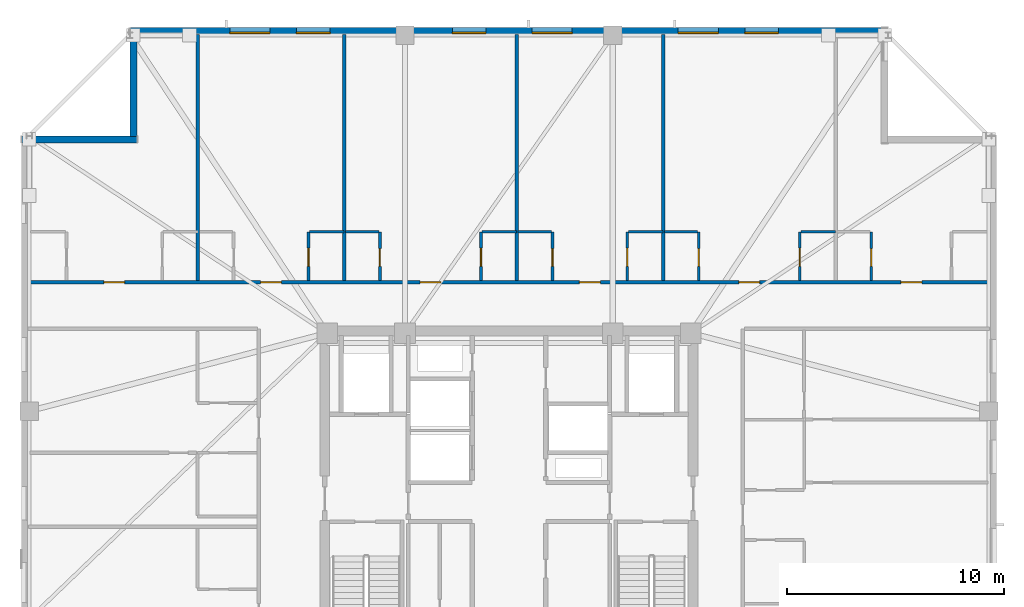
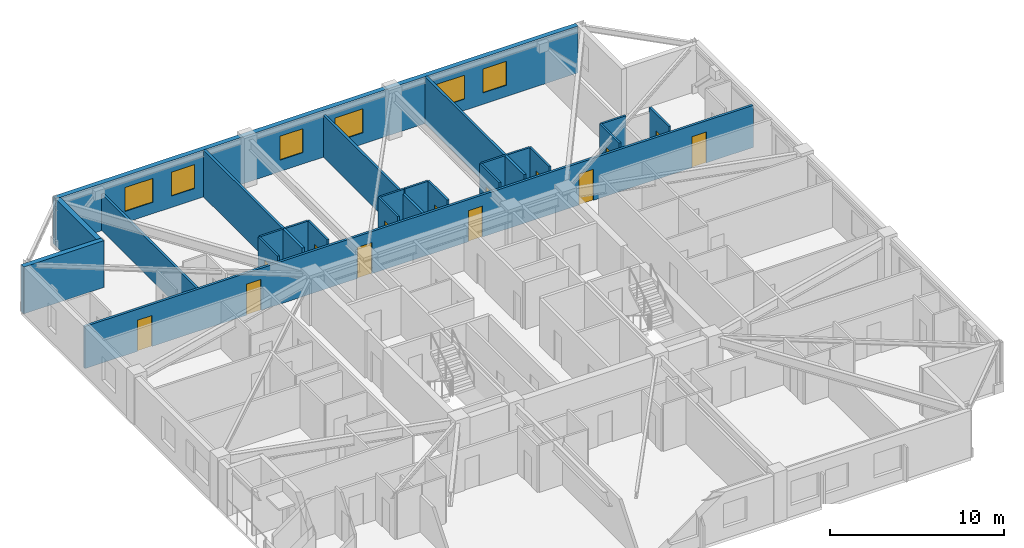
# One storey, part 11 of 17: 23 walls, 14 doors, 6 windows, 20 openings.
"""IFC4 building model written with IfcOpenShell, lengths in metres."""

from ifc_helpers import new_model, si_unit, direction, frame, frame_2d, origin, place, context, subcontext, project, spatial, rectangle, extrude, material, layer, layer_set, type_object, element, fill, save


model = new_model("IFC4")

# Units and contexts
model_context = context("Model", 3, precision=1e-05, world=origin(), true_north=direction((0.0, 1.0)))
body_context = subcontext(model_context, "Body", "Model", "MODEL_VIEW")
ifc_project = project(units=[si_unit("LENGTHUNIT", "METRE"), si_unit("AREAUNIT", "SQUARE_METRE"), si_unit("VOLUMEUNIT", "CUBIC_METRE"), si_unit("PLANEANGLEUNIT", "RADIAN"), si_unit("MASSUNIT", "GRAM", prefix="KILO")], contexts=[model_context])

# Site, building, storey
site_placement = place(None, origin())
site = spatial("IfcSite", under=ifc_project, at=site_placement, CompositionType="ELEMENT")
building_placement = place(site_placement, origin())
building = spatial("IfcBuilding", under=site, at=building_placement, Name="Cairnveth Concourse Tower", CompositionType="ELEMENT")
storey_placement = place(building_placement, frame((0.0, 0.0, 251.5)))
storey = spatial("IfcBuildingStorey", under=building, at=storey_placement, Name="L69", CompositionType="ELEMENT", Elevation=251.5)

# Wall, openings, doors
ifc_material_1 = material(Name="Gypsum Plasterboard Partition", Category="gypsum")
ifc_layer_1 = layer(ifc_material_1, 0.159912109375)
ifc_layer_set_1 = layer_set([ifc_layer_1], Name="Gypsum Plasterboard Partition")
wall_type_1 = type_object("IfcWallType", Name="ACOUSTIC PARTY WALL 180", PredefinedType="PARTITIONING", material=ifc_layer_set_1)
wall_1_placement = place(storey_placement, frame((29.804931640625, 49.74755859375, 0.0), z_axis=(0.0, 0.0, 1.0), x_axis=(1.0, 0.0, 0.0)))
wall_1 = element("IfcWall", 1, at=wall_1_placement, inside=storey, type_object=wall_type_1, Name="Interior Wall IW-L69-036", PredefinedType="PARTITIONING", context=body_context, shape_type="SweptSolid", body=[
    extrude(rectangle(XDim=44.39013671875, YDim=0.159912109375, at=frame_2d((22.195068359375, 0.0))), origin(), (0.0, 0.0, 1.0), 2.9580078125),
])
opening_1_placement = place(wall_1_placement, frame((3.49365234375, 0.0, 0.0)))
opening_1 = element("IfcOpeningElement", 2, at=opening_1_placement, cuts=wall_1, Name="Opening ID10", PredefinedType="OPENING", context=body_context, shape_type="SweptSolid", body=[
    extrude(rectangle(XDim=0.9599609375, YDim=2.179931640625, at=frame_2d((0.47998046875, 1.08984375))), frame((0.0, 0.08984375, 0.0), z_axis=(0.0, -1.0, 0.0), x_axis=(1.0, 0.0, 0.0)), (0.0, 0.0, 1.0), 0.179931640625),
])
opening_2_placement = place(wall_1_placement, frame((10.72998046875, 0.0, 0.0)))
opening_2 = element("IfcOpeningElement", 3, at=opening_2_placement, cuts=wall_1, Name="Opening ID10", PredefinedType="OPENING", context=body_context, shape_type="SweptSolid", body=[
    extrude(rectangle(XDim=0.9599609375, YDim=2.179931640625, at=frame_2d((0.47998046875, 1.08984375))), frame((0.0, 0.08984375, 0.0), z_axis=(0.0, -1.0, 0.0), x_axis=(1.0, 0.0, 0.0)), (0.0, 0.0, 1.0), 0.179931640625),
])
opening_3_placement = place(wall_1_placement, frame((18.090087890625, 0.0, 0.0)))
opening_3 = element("IfcOpeningElement", 4, at=opening_3_placement, cuts=wall_1, Name="Opening ID10", PredefinedType="OPENING", context=body_context, shape_type="SweptSolid", body=[
    extrude(rectangle(XDim=0.9599609375, YDim=2.179931640625, at=frame_2d((0.47998046875, 1.08984375))), frame((0.0, 0.08984375, 0.0), z_axis=(0.0, -1.0, 0.0), x_axis=(1.0, 0.0, 0.0)), (0.0, 0.0, 1.0), 0.179931640625),
])
opening_4_placement = place(wall_1_placement, frame((25.449951171875, 0.0, 0.0)))
opening_4 = element("IfcOpeningElement", 5, at=opening_4_placement, cuts=wall_1, Name="Opening ID10", PredefinedType="OPENING", context=body_context, shape_type="SweptSolid", body=[
    extrude(rectangle(XDim=0.9599609375, YDim=2.179931640625, at=frame_2d((0.47998046875, 1.08984375))), frame((0.0, 0.08984375, 0.0), z_axis=(0.0, -1.0, 0.0), x_axis=(1.0, 0.0, 0.0)), (0.0, 0.0, 1.0), 0.179931640625),
])
opening_5_placement = place(wall_1_placement, frame((32.81005859375, 0.0, 0.0)))
opening_5 = element("IfcOpeningElement", 6, at=opening_5_placement, cuts=wall_1, Name="Opening ID10", PredefinedType="OPENING", context=body_context, shape_type="SweptSolid", body=[
    extrude(rectangle(XDim=0.9599609375, YDim=2.179931640625, at=frame_2d((0.47998046875, 1.08984375))), frame((0.0, 0.08984375, 0.0), z_axis=(0.0, -1.0, 0.0), x_axis=(1.0, 0.0, 0.0)), (0.0, 0.0, 1.0), 0.179931640625),
])
opening_6_placement = place(wall_1_placement, frame((40.293701171875, 0.0, 0.0)))
opening_6 = element("IfcOpeningElement", 7, at=opening_6_placement, cuts=wall_1, Name="Opening ID10", PredefinedType="OPENING", context=body_context, shape_type="SweptSolid", body=[
    extrude(rectangle(XDim=0.9599609375, YDim=2.179931640625, at=frame_2d((0.47998046875, 1.08984375))), frame((0.0, 0.08984375, 0.0), z_axis=(0.0, -1.0, 0.0), x_axis=(1.0, 0.0, 0.0)), (0.0, 0.0, 1.0), 0.179931640625),
])
ifc_material_2 = material(Name="Solid Core Hardwood Timber Leaf", Category="wood")
door_type_1 = type_object("IfcDoorType", Name="FLAT ENTRANCE DOOR 960X2150", OperationType="NOTDEFINED", PredefinedType="DOOR", material=ifc_material_2)
door_1_placement = place(opening_1_placement, origin())
door_1 = element("IfcDoor", 8, at=door_1_placement, inside=storey, type_object=door_type_1, Name="Studio L69STN1 Entrance Door", OperationType="SINGLE_SWING_LEFT", OverallHeight=2.179931640625, OverallWidth=0.9599609375, PredefinedType="DOOR", context=body_context, shape_type="SweptSolid", body=[
    extrude(rectangle(XDim=0.9599609375, YDim=2.179931640625, at=frame_2d((0.47998046875, 1.08984375))), frame((0.0, 0.02490234375, 0.0), z_axis=(0.0, -1.0, 0.0), x_axis=(1.0, 0.0, 0.0)), (0.0, 0.0, 1.0), 0.050048828125),
])
fill(opening_1, door_1)
door_2_placement = place(opening_2_placement, origin())
door_2 = element("IfcDoor", 9, at=door_2_placement, inside=storey, type_object=door_type_1, Name="Studio L69STN2 Entrance Door", OperationType="SINGLE_SWING_RIGHT", OverallHeight=2.179931640625, OverallWidth=0.9599609375, PredefinedType="DOOR", context=body_context, shape_type="SweptSolid", body=[
    extrude(rectangle(XDim=0.9599609375, YDim=2.179931640625, at=frame_2d((0.47998046875, 1.08984375))), frame((0.0, 0.02490234375, 0.0), z_axis=(0.0, -1.0, 0.0), x_axis=(1.0, 0.0, 0.0)), (0.0, 0.0, 1.0), 0.050048828125),
])
fill(opening_2, door_2)
door_3_placement = place(opening_3_placement, origin())
door_3 = element("IfcDoor", 10, at=door_3_placement, inside=storey, type_object=door_type_1, Name="Studio L69STN3 Entrance Door", OperationType="SINGLE_SWING_LEFT", OverallHeight=2.179931640625, OverallWidth=0.9599609375, PredefinedType="DOOR", context=body_context, shape_type="SweptSolid", body=[
    extrude(rectangle(XDim=0.9599609375, YDim=2.179931640625, at=frame_2d((0.47998046875, 1.08984375))), frame((0.0, 0.02490234375, 0.0), z_axis=(0.0, -1.0, 0.0), x_axis=(1.0, 0.0, 0.0)), (0.0, 0.0, 1.0), 0.050048828125),
])
fill(opening_3, door_3)
door_4_placement = place(opening_4_placement, origin())
door_4 = element("IfcDoor", 11, at=door_4_placement, inside=storey, type_object=door_type_1, Name="Studio L69STN4 Entrance Door", OperationType="SINGLE_SWING_RIGHT", OverallHeight=2.179931640625, OverallWidth=0.9599609375, PredefinedType="DOOR", context=body_context, shape_type="SweptSolid", body=[
    extrude(rectangle(XDim=0.9599609375, YDim=2.179931640625, at=frame_2d((0.47998046875, 1.08984375))), frame((0.0, 0.02490234375, 0.0), z_axis=(0.0, -1.0, 0.0), x_axis=(1.0, 0.0, 0.0)), (0.0, 0.0, 1.0), 0.050048828125),
])
fill(opening_4, door_4)
door_5_placement = place(opening_5_placement, origin())
door_5 = element("IfcDoor", 12, at=door_5_placement, inside=storey, type_object=door_type_1, Name="Studio L69STN5 Entrance Door", OperationType="SINGLE_SWING_LEFT", OverallHeight=2.179931640625, OverallWidth=0.9599609375, PredefinedType="DOOR", context=body_context, shape_type="SweptSolid", body=[
    extrude(rectangle(XDim=0.9599609375, YDim=2.179931640625, at=frame_2d((0.47998046875, 1.08984375))), frame((0.0, 0.02490234375, 0.0), z_axis=(0.0, -1.0, 0.0), x_axis=(1.0, 0.0, 0.0)), (0.0, 0.0, 1.0), 0.050048828125),
])
fill(opening_5, door_5)
door_6_placement = place(opening_6_placement, origin())
door_6 = element("IfcDoor", 13, at=door_6_placement, inside=storey, type_object=door_type_1, Name="Studio L69STN6 Entrance Door", OperationType="SINGLE_SWING_RIGHT", OverallHeight=2.179931640625, OverallWidth=0.9599609375, PredefinedType="DOOR", context=body_context, shape_type="SweptSolid", body=[
    extrude(rectangle(XDim=0.9599609375, YDim=2.179931640625, at=frame_2d((0.47998046875, 1.08984375))), frame((0.0, 0.02490234375, 0.0), z_axis=(0.0, -1.0, 0.0), x_axis=(1.0, 0.0, 0.0)), (0.0, 0.0, 1.0), 0.050048828125),
])
fill(opening_6, door_6)

# Walls
wall_2_placement = place(storey_placement, frame((37.637451171875, 49.827392578125, 0.0), z_axis=(0.0, 0.0, 1.0), x_axis=(0.0, 1.0, 0.0)))
element("IfcWall", 14, at=wall_2_placement, inside=storey, type_object=wall_type_1, Name="Interior Wall IW-L69-071", PredefinedType="PARTITIONING", context=body_context, shape_type="SweptSolid", body=[
    extrude(rectangle(XDim=11.36767578125, YDim=0.159912109375, at=frame_2d((5.683837890625, 0.0))), origin(), (0.0, 0.0, 1.0), 2.572998046875),
])
wall_3_placement = place(storey_placement, frame((44.392578125, 49.827392578125, 0.0), z_axis=(0.0, 0.0, 1.0), x_axis=(0.0, 1.0, 0.0)))
element("IfcWall", 15, at=wall_3_placement, inside=storey, type_object=wall_type_1, Name="Interior Wall IW-L69-076", PredefinedType="PARTITIONING", context=body_context, shape_type="SweptSolid", body=[
    extrude(rectangle(XDim=11.36767578125, YDim=0.159912109375, at=frame_2d((5.683837890625, 0.0))), origin(), (0.0, 0.0, 1.0), 3.2900390625),
])
wall_4_placement = place(storey_placement, frame((52.357421875, 49.827392578125, 0.0), z_axis=(0.0, 0.0, 1.0), x_axis=(0.0, 1.0, 0.0)))
element("IfcWall", 16, at=wall_4_placement, inside=storey, type_object=wall_type_1, Name="Interior Wall IW-L69-081", PredefinedType="PARTITIONING", context=body_context, shape_type="SweptSolid", body=[
    extrude(rectangle(XDim=11.36767578125, YDim=0.159912109375, at=frame_2d((5.683837890625, 0.0))), origin(), (0.0, 0.0, 1.0), 2.9580078125),
])
wall_5_placement = place(storey_placement, frame((59.112548828125, 49.827392578125, 0.0), z_axis=(0.0, 0.0, 1.0), x_axis=(0.0, 1.0, 0.0)))
element("IfcWall", 17, at=wall_5_placement, inside=storey, type_object=wall_type_1, Name="Interior Wall IW-L69-086", PredefinedType="PARTITIONING", context=body_context, shape_type="SweptSolid", body=[
    extrude(rectangle(XDim=11.36767578125, YDim=0.159912109375, at=frame_2d((5.683837890625, 0.0))), origin(), (0.0, 0.0, 1.0), 3.2900390625),
])

# Wall, opening, door
ifc_layer_2 = layer(ifc_material_1, 0.1298828125)
ifc_layer_set_2 = layer_set([ifc_layer_2], Name="Gypsum Plasterboard Partition")
wall_type_2 = type_object("IfcWallType", Name="WET AREA PARTITION 140", PredefinedType="PLUMBINGWALL", material=ifc_layer_set_2)
wall_6_placement = place(storey_placement, frame((42.742431640625, 49.827392578125, 0.0), z_axis=(0.0, 0.0, 1.0), x_axis=(0.0, 1.0, 0.0)))
wall_6 = element("IfcWall", 18, at=wall_6_placement, inside=storey, type_object=wall_type_2, Name="Interior Wall IW-L69-074", PredefinedType="PLUMBINGWALL", context=body_context, shape_type="SweptSolid", body=[
    extrude(rectangle(XDim=2.25, YDim=0.1298828125, at=frame_2d((1.125, 0.0))), origin(), (0.0, 0.0, 1.0), 3.2900390625),
])
opening_7_placement = place(wall_6_placement, frame((0.64990234375, 0.0, 0.0)))
opening_7 = element("IfcOpeningElement", 19, at=opening_7_placement, cuts=wall_6, Name="Opening ID20", PredefinedType="OPENING", context=body_context, shape_type="SweptSolid", body=[
    extrude(rectangle(XDim=0.85009765625, YDim=2.10009765625, at=frame_2d((0.425048828125, 1.050048828125))), frame((0.0, 0.074951171875, 0.0), z_axis=(0.0, -1.0, 0.0), x_axis=(1.0, 0.0, 0.0)), (0.0, 0.0, 1.0), 0.14990234375),
])
door_type_2 = type_object("IfcDoorType", Name="INTERIOR SINGLE DOOR 850X2100", OperationType="NOTDEFINED", PredefinedType="DOOR", material=ifc_material_2)
door_7_placement = place(opening_7_placement, origin())
door_7 = element("IfcDoor", 20, at=door_7_placement, inside=storey, type_object=door_type_2, Name="L69STN2 Kitchen Door", OperationType="SINGLE_SWING_LEFT", OverallHeight=2.10009765625, OverallWidth=0.85009765625, PredefinedType="DOOR", context=body_context, shape_type="SweptSolid", body=[
    extrude(rectangle(XDim=0.85009765625, YDim=2.10009765625, at=frame_2d((0.425048828125, 1.050048828125))), frame((0.0, 0.02490234375, 0.0), z_axis=(0.0, -1.0, 0.0), x_axis=(1.0, 0.0, 0.0)), (0.0, 0.0, 1.0), 0.050048828125),
])
fill(opening_7, door_7)

# Wall
wall_7_placement = place(storey_placement, frame((42.79248046875, 52.077392578125, 0.0), z_axis=(0.0, 0.0, 1.0), x_axis=(1.0, 0.0, 0.0)))
element("IfcWall", 21, at=wall_7_placement, inside=storey, type_object=wall_type_2, Name="Interior Wall IW-L69-075", PredefinedType="PLUMBINGWALL", context=body_context, shape_type="SweptSolid", body=[
    extrude(rectangle(XDim=1.60009765625, YDim=0.1298828125, at=frame_2d((0.800048828125, 0.0))), origin(), (0.0, 0.0, 1.0), 3.2900390625),
])

# Wall, opening, door
wall_8_placement = place(storey_placement, frame((46.04248046875, 49.827392578125, 0.0), z_axis=(0.0, 0.0, 1.0), x_axis=(0.0, 1.0, 0.0)))
wall_8 = element("IfcWall", 22, at=wall_8_placement, inside=storey, type_object=wall_type_2, Name="Interior Wall IW-L69-077", PredefinedType="PLUMBINGWALL", context=body_context, shape_type="SweptSolid", body=[
    extrude(rectangle(XDim=2.25, YDim=0.1298828125, at=frame_2d((1.125, 0.0))), origin(), (0.0, 0.0, 1.0), 3.2900390625),
])
opening_8_placement = place(wall_8_placement, frame((0.64990234375, 0.0, 0.0)))
opening_8 = element("IfcOpeningElement", 23, at=opening_8_placement, cuts=wall_8, Name="Opening ID22", PredefinedType="OPENING", context=body_context, shape_type="SweptSolid", body=[
    extrude(rectangle(XDim=0.820068359375, YDim=2.10009765625, at=frame_2d((0.41015625, 1.050048828125))), frame((0.0, 0.074951171875, 0.0), z_axis=(0.0, -1.0, 0.0), x_axis=(1.0, 0.0, 0.0)), (0.0, 0.0, 1.0), 0.14990234375),
])
door_type_3 = type_object("IfcDoorType", Name="INTERIOR WC DOOR 820X2100", OperationType="NOTDEFINED", PredefinedType="DOOR", material=ifc_material_2)
door_8_placement = place(opening_8_placement, origin())
door_8 = element("IfcDoor", 24, at=door_8_placement, inside=storey, type_object=door_type_3, Name="L69STN3 Bathroom Door", OperationType="SINGLE_SWING_LEFT", OverallHeight=2.10009765625, OverallWidth=0.820068359375, PredefinedType="DOOR", context=body_context, shape_type="SweptSolid", body=[
    extrude(rectangle(XDim=0.820068359375, YDim=2.10009765625, at=frame_2d((0.41015625, 1.050048828125))), frame((0.0, 0.02490234375, 0.0), z_axis=(0.0, -1.0, 0.0), x_axis=(1.0, 0.0, 0.0)), (0.0, 0.0, 1.0), 0.050048828125),
])
fill(opening_8, door_8)

# Wall
wall_9_placement = place(storey_placement, frame((44.45751953125, 52.077392578125, 0.0), z_axis=(0.0, 0.0, 1.0), x_axis=(1.0, 0.0, 0.0)))
element("IfcWall", 25, at=wall_9_placement, inside=storey, type_object=wall_type_2, Name="Interior Wall IW-L69-078", PredefinedType="PLUMBINGWALL", context=body_context, shape_type="SweptSolid", body=[
    extrude(rectangle(XDim=1.534912109375, YDim=0.1298828125, at=frame_2d((0.767578125, 0.0))), origin(), (0.0, 0.0, 1.0), 3.2900390625),
])

# Wall, opening, door
wall_10_placement = place(storey_placement, frame((50.70751953125, 49.827392578125, 0.0), z_axis=(0.0, 0.0, 1.0), x_axis=(0.0, 1.0, 0.0)))
wall_10 = element("IfcWall", 26, at=wall_10_placement, inside=storey, type_object=wall_type_2, Name="Interior Wall IW-L69-079", PredefinedType="PLUMBINGWALL", context=body_context, shape_type="SweptSolid", body=[
    extrude(rectangle(XDim=2.25, YDim=0.1298828125, at=frame_2d((1.125, 0.0))), origin(), (0.0, 0.0, 1.0), 3.2900390625),
])
opening_9_placement = place(wall_10_placement, frame((0.64990234375, 0.0, 0.0)))
opening_9 = element("IfcOpeningElement", 27, at=opening_9_placement, cuts=wall_10, Name="Opening ID20", PredefinedType="OPENING", context=body_context, shape_type="SweptSolid", body=[
    extrude(rectangle(XDim=0.85009765625, YDim=2.10009765625, at=frame_2d((0.425048828125, 1.050048828125))), frame((0.0, 0.074951171875, 0.0), z_axis=(0.0, -1.0, 0.0), x_axis=(1.0, 0.0, 0.0)), (0.0, 0.0, 1.0), 0.14990234375),
])
door_9_placement = place(opening_9_placement, origin())
door_9 = element("IfcDoor", 28, at=door_9_placement, inside=storey, type_object=door_type_2, Name="L69STN3 Kitchen Door", OperationType="SINGLE_SWING_RIGHT", OverallHeight=2.10009765625, OverallWidth=0.85009765625, PredefinedType="DOOR", context=body_context, shape_type="SweptSolid", body=[
    extrude(rectangle(XDim=0.85009765625, YDim=2.10009765625, at=frame_2d((0.425048828125, 1.050048828125))), frame((0.0, 0.02490234375, 0.0), z_axis=(0.0, -1.0, 0.0), x_axis=(1.0, 0.0, 0.0)), (0.0, 0.0, 1.0), 0.050048828125),
])
fill(opening_9, door_9)

# Wall
wall_11_placement = place(storey_placement, frame((50.757568359375, 52.077392578125, 0.0), z_axis=(0.0, 0.0, 1.0), x_axis=(1.0, 0.0, 0.0)))
element("IfcWall", 29, at=wall_11_placement, inside=storey, type_object=wall_type_2, Name="Interior Wall IW-L69-080", PredefinedType="PLUMBINGWALL", context=body_context, shape_type="SweptSolid", body=[
    extrude(rectangle(XDim=1.599853515625, YDim=0.1298828125, at=frame_2d((0.7998046875, 0.0))), origin(), (0.0, 0.0, 1.0), 3.2900390625),
])

# Wall, opening, door
wall_12_placement = place(storey_placement, frame((54.007568359375, 49.827392578125, 0.0), z_axis=(0.0, 0.0, 1.0), x_axis=(0.0, 1.0, 0.0)))
wall_12 = element("IfcWall", 30, at=wall_12_placement, inside=storey, type_object=wall_type_2, Name="Interior Wall IW-L69-082", PredefinedType="PLUMBINGWALL", context=body_context, shape_type="SweptSolid", body=[
    extrude(rectangle(XDim=2.25, YDim=0.1298828125, at=frame_2d((1.125, 0.0))), origin(), (0.0, 0.0, 1.0), 3.2900390625),
])
opening_10_placement = place(wall_12_placement, frame((0.64990234375, 0.0, 0.0)))
opening_10 = element("IfcOpeningElement", 31, at=opening_10_placement, cuts=wall_12, Name="Opening ID22", PredefinedType="OPENING", context=body_context, shape_type="SweptSolid", body=[
    extrude(rectangle(XDim=0.820068359375, YDim=2.10009765625, at=frame_2d((0.41015625, 1.050048828125))), frame((0.0, 0.074951171875, 0.0), z_axis=(0.0, -1.0, 0.0), x_axis=(1.0, 0.0, 0.0)), (0.0, 0.0, 1.0), 0.14990234375),
])
door_10_placement = place(opening_10_placement, origin())
door_10 = element("IfcDoor", 32, at=door_10_placement, inside=storey, type_object=door_type_3, Name="L69STN4 Bathroom Door", OperationType="SINGLE_SWING_RIGHT", OverallHeight=2.10009765625, OverallWidth=0.820068359375, PredefinedType="DOOR", context=body_context, shape_type="SweptSolid", body=[
    extrude(rectangle(XDim=0.820068359375, YDim=2.10009765625, at=frame_2d((0.41015625, 1.050048828125))), frame((0.0, 0.02490234375, 0.0), z_axis=(0.0, -1.0, 0.0), x_axis=(1.0, 0.0, 0.0)), (0.0, 0.0, 1.0), 0.050048828125),
])
fill(opening_10, door_10)

# Wall
wall_13_placement = place(storey_placement, frame((52.422607421875, 52.077392578125, 0.0), z_axis=(0.0, 0.0, 1.0), x_axis=(1.0, 0.0, 0.0)))
element("IfcWall", 33, at=wall_13_placement, inside=storey, type_object=wall_type_2, Name="Interior Wall IW-L69-083", PredefinedType="PLUMBINGWALL", context=body_context, shape_type="SweptSolid", body=[
    extrude(rectangle(XDim=1.534912109375, YDim=0.1298828125, at=frame_2d((0.767578125, 0.0))), origin(), (0.0, 0.0, 1.0), 3.2900390625),
])

# Wall, opening, door
wall_14_placement = place(storey_placement, frame((57.46240234375, 49.827392578125, 0.0), z_axis=(0.0, 0.0, 1.0), x_axis=(0.0, 1.0, 0.0)))
wall_14 = element("IfcWall", 34, at=wall_14_placement, inside=storey, type_object=wall_type_2, Name="Interior Wall IW-L69-084", PredefinedType="PLUMBINGWALL", context=body_context, shape_type="SweptSolid", body=[
    extrude(rectangle(XDim=2.25, YDim=0.1298828125, at=frame_2d((1.125, 0.0))), origin(), (0.0, 0.0, 1.0), 3.2900390625),
])
opening_11_placement = place(wall_14_placement, frame((0.64990234375, 0.0, 0.0)))
opening_11 = element("IfcOpeningElement", 35, at=opening_11_placement, cuts=wall_14, Name="Opening ID20", PredefinedType="OPENING", context=body_context, shape_type="SweptSolid", body=[
    extrude(rectangle(XDim=0.85009765625, YDim=2.10009765625, at=frame_2d((0.425048828125, 1.050048828125))), frame((0.0, 0.074951171875, 0.0), z_axis=(0.0, -1.0, 0.0), x_axis=(1.0, 0.0, 0.0)), (0.0, 0.0, 1.0), 0.14990234375),
])
door_11_placement = place(opening_11_placement, origin())
door_11 = element("IfcDoor", 36, at=door_11_placement, inside=storey, type_object=door_type_2, Name="L69STN4 Kitchen Door", OperationType="SINGLE_SWING_LEFT", OverallHeight=2.10009765625, OverallWidth=0.85009765625, PredefinedType="DOOR", context=body_context, shape_type="SweptSolid", body=[
    extrude(rectangle(XDim=0.85009765625, YDim=2.10009765625, at=frame_2d((0.425048828125, 1.050048828125))), frame((0.0, 0.02490234375, 0.0), z_axis=(0.0, -1.0, 0.0), x_axis=(1.0, 0.0, 0.0)), (0.0, 0.0, 1.0), 0.050048828125),
])
fill(opening_11, door_11)

# Wall
wall_15_placement = place(storey_placement, frame((57.512451171875, 52.077392578125, 0.0), z_axis=(0.0, 0.0, 1.0), x_axis=(1.0, 0.0, 0.0)))
element("IfcWall", 37, at=wall_15_placement, inside=storey, type_object=wall_type_2, Name="Interior Wall IW-L69-085", PredefinedType="PLUMBINGWALL", context=body_context, shape_type="SweptSolid", body=[
    extrude(rectangle(XDim=1.60009765625, YDim=0.1298828125, at=frame_2d((0.800048828125, 0.0))), origin(), (0.0, 0.0, 1.0), 3.2900390625),
])

# Wall, opening, door
wall_16_placement = place(storey_placement, frame((60.762451171875, 49.827392578125, 0.0), z_axis=(0.0, 0.0, 1.0), x_axis=(0.0, 1.0, 0.0)))
wall_16 = element("IfcWall", 38, at=wall_16_placement, inside=storey, type_object=wall_type_2, Name="Interior Wall IW-L69-087", PredefinedType="PLUMBINGWALL", context=body_context, shape_type="SweptSolid", body=[
    extrude(rectangle(XDim=2.25, YDim=0.1298828125, at=frame_2d((1.125, 0.0))), origin(), (0.0, 0.0, 1.0), 3.2900390625),
])
opening_12_placement = place(wall_16_placement, frame((0.64990234375, 0.0, 0.0)))
opening_12 = element("IfcOpeningElement", 39, at=opening_12_placement, cuts=wall_16, Name="Opening ID22", PredefinedType="OPENING", context=body_context, shape_type="SweptSolid", body=[
    extrude(rectangle(XDim=0.820068359375, YDim=2.10009765625, at=frame_2d((0.41015625, 1.050048828125))), frame((0.0, 0.074951171875, 0.0), z_axis=(0.0, -1.0, 0.0), x_axis=(1.0, 0.0, 0.0)), (0.0, 0.0, 1.0), 0.14990234375),
])
door_12_placement = place(opening_12_placement, origin())
door_12 = element("IfcDoor", 40, at=door_12_placement, inside=storey, type_object=door_type_3, Name="L69STN5 Bathroom Door", OperationType="SINGLE_SWING_LEFT", OverallHeight=2.10009765625, OverallWidth=0.820068359375, PredefinedType="DOOR", context=body_context, shape_type="SweptSolid", body=[
    extrude(rectangle(XDim=0.820068359375, YDim=2.10009765625, at=frame_2d((0.41015625, 1.050048828125))), frame((0.0, 0.02490234375, 0.0), z_axis=(0.0, -1.0, 0.0), x_axis=(1.0, 0.0, 0.0)), (0.0, 0.0, 1.0), 0.050048828125),
])
fill(opening_12, door_12)

# Wall
wall_17_placement = place(storey_placement, frame((59.177490234375, 52.077392578125, 0.0), z_axis=(0.0, 0.0, 1.0), x_axis=(1.0, 0.0, 0.0)))
element("IfcWall", 41, at=wall_17_placement, inside=storey, type_object=wall_type_2, Name="Interior Wall IW-L69-088", PredefinedType="PLUMBINGWALL", context=body_context, shape_type="SweptSolid", body=[
    extrude(rectangle(XDim=1.534912109375, YDim=0.1298828125, at=frame_2d((0.767578125, 0.0))), origin(), (0.0, 0.0, 1.0), 3.2900390625),
])

# Wall, opening, door
wall_18_placement = place(storey_placement, frame((65.427490234375, 49.827392578125, 0.0), z_axis=(0.0, 0.0, 1.0), x_axis=(0.0, 1.0, 0.0)))
wall_18 = element("IfcWall", 42, at=wall_18_placement, inside=storey, type_object=wall_type_2, Name="Interior Wall IW-L69-089", PredefinedType="PLUMBINGWALL", context=body_context, shape_type="SweptSolid", body=[
    extrude(rectangle(XDim=2.25, YDim=0.1298828125, at=frame_2d((1.125, 0.0))), origin(), (0.0, 0.0, 1.0), 3.2900390625),
])
opening_13_placement = place(wall_18_placement, frame((0.64990234375, 0.0, 0.0)))
opening_13 = element("IfcOpeningElement", 43, at=opening_13_placement, cuts=wall_18, Name="Opening ID20", PredefinedType="OPENING", context=body_context, shape_type="SweptSolid", body=[
    extrude(rectangle(XDim=0.85009765625, YDim=2.10009765625, at=frame_2d((0.425048828125, 1.050048828125))), frame((0.0, 0.074951171875, 0.0), z_axis=(0.0, -1.0, 0.0), x_axis=(1.0, 0.0, 0.0)), (0.0, 0.0, 1.0), 0.14990234375),
])
door_13_placement = place(opening_13_placement, origin())
door_13 = element("IfcDoor", 44, at=door_13_placement, inside=storey, type_object=door_type_2, Name="L69STN5 Kitchen Door", OperationType="SINGLE_SWING_RIGHT", OverallHeight=2.10009765625, OverallWidth=0.85009765625, PredefinedType="DOOR", context=body_context, shape_type="SweptSolid", body=[
    extrude(rectangle(XDim=0.85009765625, YDim=2.10009765625, at=frame_2d((0.425048828125, 1.050048828125))), frame((0.0, 0.02490234375, 0.0), z_axis=(0.0, -1.0, 0.0), x_axis=(1.0, 0.0, 0.0)), (0.0, 0.0, 1.0), 0.050048828125),
])
fill(opening_13, door_13)

# Wall
wall_19_placement = place(storey_placement, frame((65.4775390625, 52.077392578125, 0.0), z_axis=(0.0, 0.0, 1.0), x_axis=(1.0, 0.0, 0.0)))
element("IfcWall", 45, at=wall_19_placement, inside=storey, type_object=wall_type_2, Name="Interior Wall IW-L69-090", PredefinedType="PLUMBINGWALL", context=body_context, shape_type="SweptSolid", body=[
    extrude(rectangle(XDim=1.599853515625, YDim=0.1298828125, at=frame_2d((0.7998046875, 0.0))), origin(), (0.0, 0.0, 1.0), 3.2900390625),
])

# Wall, opening, door
wall_20_placement = place(storey_placement, frame((68.7275390625, 49.827392578125, 0.0), z_axis=(0.0, 0.0, 1.0), x_axis=(0.0, 1.0, 0.0)))
wall_20 = element("IfcWall", 46, at=wall_20_placement, inside=storey, type_object=wall_type_2, Name="Interior Wall IW-L69-092", PredefinedType="PLUMBINGWALL", context=body_context, shape_type="SweptSolid", body=[
    extrude(rectangle(XDim=2.25, YDim=0.1298828125, at=frame_2d((1.125, 0.0))), origin(), (0.0, 0.0, 1.0), 3.2900390625),
])
opening_14_placement = place(wall_20_placement, frame((0.64990234375, 0.0, 0.0)))
opening_14 = element("IfcOpeningElement", 47, at=opening_14_placement, cuts=wall_20, Name="Opening ID22", PredefinedType="OPENING", context=body_context, shape_type="SweptSolid", body=[
    extrude(rectangle(XDim=0.820068359375, YDim=2.10009765625, at=frame_2d((0.41015625, 1.050048828125))), frame((0.0, 0.074951171875, 0.0), z_axis=(0.0, -1.0, 0.0), x_axis=(1.0, 0.0, 0.0)), (0.0, 0.0, 1.0), 0.14990234375),
])
door_14_placement = place(opening_14_placement, origin())
door_14 = element("IfcDoor", 48, at=door_14_placement, inside=storey, type_object=door_type_3, Name="L69STN6 Bathroom Door", OperationType="SINGLE_SWING_RIGHT", OverallHeight=2.10009765625, OverallWidth=0.820068359375, PredefinedType="DOOR", context=body_context, shape_type="SweptSolid", body=[
    extrude(rectangle(XDim=0.820068359375, YDim=2.10009765625, at=frame_2d((0.41015625, 1.050048828125))), frame((0.0, 0.02490234375, 0.0), z_axis=(0.0, -1.0, 0.0), x_axis=(1.0, 0.0, 0.0)), (0.0, 0.0, 1.0), 0.050048828125),
])
fill(opening_14, door_14)

# Walls
ifc_material_3 = material(Name="Melbourne Buff Fired Clay Brick Masonry", Category="masonry")
ifc_layer_3 = layer(ifc_material_3, 0.320068359375)
ifc_layer_set_3 = layer_set([ifc_layer_3], Name="Melbourne Buff Fired Clay Brick Masonry")
wall_type_3 = type_object("IfcWallType", Name="ZONE 3 BRICK PIER SPANDREL WALL 320", PredefinedType="SOLIDWALL", material=ifc_layer_set_3)
wall_21_placement = place(storey_placement, frame((29.5, 56.340087890625, 0.0), z_axis=(0.0, 0.0, 1.0), x_axis=(1.0, 0.0, 0.0)))
element("IfcWall", 49, at=wall_21_placement, inside=storey, type_object=wall_type_3, Name="Exterior Wall EW-L69-S01", PredefinedType="SOLIDWALL", context=body_context, shape_type="SweptSolid", body=[
    extrude(rectangle(XDim=5.320068359375, YDim=0.320068359375, at=frame_2d((2.66015625, 0.0))), origin(), (0.0, 0.0, 1.0), 3.2900390625),
])
wall_22_placement = place(storey_placement, frame((34.659912109375, 56.47802734375, 0.0), z_axis=(0.0, 0.0, 1.0), x_axis=(0.0, 1.0, 0.0)))
element("IfcWall", 50, at=wall_22_placement, inside=storey, type_object=wall_type_3, Name="Exterior Wall EW-L69-S02", PredefinedType="SOLIDWALL", context=body_context, shape_type="SweptSolid", body=[
    extrude(rectangle(XDim=4.723876953125, YDim=0.320068359375, at=frame_2d((2.36181640625, 0.0))), origin(), (0.0, 0.0, 1.0), 3.2900390625),
])

# Wall, openings, windows
wall_23_placement = place(storey_placement, frame((34.5, 61.340087890625, 0.0), z_axis=(0.0, 0.0, 1.0), x_axis=(1.0, 0.0, 0.0)))
wall_23 = element("IfcWall", 51, at=wall_23_placement, inside=storey, type_object=wall_type_3, Name="Exterior Wall EW-L69-S03", PredefinedType="SOLIDWALL", context=body_context, shape_type="SweptSolid", body=[
    extrude(rectangle(XDim=34.701904296875, YDim=0.320068359375, at=frame_2d((17.35107421875, 0.0))), origin(), (0.0, 0.0, 1.0), 3.2900390625),
])
opening_15_placement = place(wall_23_placement, frame((4.612548828125, 0.0, 0.800048828125)))
opening_15 = element("IfcOpeningElement", 52, at=opening_15_placement, cuts=wall_23, Name="Opening W08", PredefinedType="OPENING", context=body_context, shape_type="SweptSolid", body=[
    extrude(rectangle(XDim=1.85009765625, YDim=1.677978515625, at=frame_2d((0.925048828125, 0.8388671875))), frame((0.0, 0.169921875, 0.0), z_axis=(0.0, -1.0, 0.0), x_axis=(1.0, 0.0, 0.0)), (0.0, 0.0, 1.0), 0.340087890625),
])
opening_16_placement = place(wall_23_placement, frame((7.68798828125, 0.0, 0.800048828125)))
opening_16 = element("IfcOpeningElement", 53, at=opening_16_placement, cuts=wall_23, Name="Opening W07", PredefinedType="OPENING", context=body_context, shape_type="SweptSolid", body=[
    extrude(rectangle(XDim=1.550048828125, YDim=1.677978515625, at=frame_2d((0.77490234375, 0.8388671875))), frame((0.0, 0.169921875, 0.0), z_axis=(0.0, -1.0, 0.0), x_axis=(1.0, 0.0, 0.0)), (0.0, 0.0, 1.0), 0.340087890625),
])
opening_17_placement = place(wall_23_placement, frame((14.888427734375, 0.0, 0.800048828125)))
opening_17 = element("IfcOpeningElement", 54, at=opening_17_placement, cuts=wall_23, Name="Opening W07", PredefinedType="OPENING", context=body_context, shape_type="SweptSolid", body=[
    extrude(rectangle(XDim=1.550048828125, YDim=1.677978515625, at=frame_2d((0.77490234375, 0.8388671875))), frame((0.0, 0.169921875, 0.0), z_axis=(0.0, -1.0, 0.0), x_axis=(1.0, 0.0, 0.0)), (0.0, 0.0, 1.0), 0.340087890625),
])
opening_18_placement = place(wall_23_placement, frame((18.563720703125, 0.0, 0.800048828125)))
opening_18 = element("IfcOpeningElement", 55, at=opening_18_placement, cuts=wall_23, Name="Opening W08", PredefinedType="OPENING", context=body_context, shape_type="SweptSolid", body=[
    extrude(rectangle(XDim=1.85009765625, YDim=1.677978515625, at=frame_2d((0.925048828125, 0.8388671875))), frame((0.0, 0.169921875, 0.0), z_axis=(0.0, -1.0, 0.0), x_axis=(1.0, 0.0, 0.0)), (0.0, 0.0, 1.0), 0.340087890625),
])
opening_19_placement = place(wall_23_placement, frame((25.314208984375, 0.0, 0.800048828125)))
opening_19 = element("IfcOpeningElement", 56, at=opening_19_placement, cuts=wall_23, Name="Opening W08", PredefinedType="OPENING", context=body_context, shape_type="SweptSolid", body=[
    extrude(rectangle(XDim=1.85009765625, YDim=1.677978515625, at=frame_2d((0.925048828125, 0.8388671875))), frame((0.0, 0.169921875, 0.0), z_axis=(0.0, -1.0, 0.0), x_axis=(1.0, 0.0, 0.0)), (0.0, 0.0, 1.0), 0.340087890625),
])
opening_20_placement = place(wall_23_placement, frame((28.389404296875, 0.0, 0.800048828125)))
opening_20 = element("IfcOpeningElement", 57, at=opening_20_placement, cuts=wall_23, Name="Opening W07", PredefinedType="OPENING", context=body_context, shape_type="SweptSolid", body=[
    extrude(rectangle(XDim=1.550048828125, YDim=1.677978515625, at=frame_2d((0.77490234375, 0.8388671875))), frame((0.0, 0.169921875, 0.0), z_axis=(0.0, -1.0, 0.0), x_axis=(1.0, 0.0, 0.0)), (0.0, 0.0, 1.0), 0.340087890625),
])
ifc_material_4 = material(Name="Double Glazed Low-E Clear Glass", Category="glass")
window_type_1 = type_object("IfcWindowType", Name="DEEP-SET APARTMENT LIVING WINDOW 1850X1850", PartitioningType="DOUBLE_PANEL_VERTICAL", PredefinedType="WINDOW", material=ifc_material_4)
window_1_placement = place(opening_15_placement, origin())
window_1 = element("IfcWindow", 58, at=window_1_placement, inside=storey, type_object=window_type_1, Name="Gothic Lancet Window L69-3-1", OverallHeight=1.677978515625, OverallWidth=1.85009765625, PartitioningType="SINGLE_PANEL", PredefinedType="WINDOW", context=body_context, shape_type="SweptSolid", body=[
    extrude(rectangle(XDim=1.85009765625, YDim=1.677978515625, at=frame_2d((0.925048828125, 0.8388671875))), frame((0.0, -0.050048828125, 0.0), z_axis=(0.0, -1.0, 0.0), x_axis=(1.0, 0.0, 0.0)), (0.0, 0.0, 1.0), 0.06005859375),
])
fill(opening_15, window_1)
window_2_placement = place(opening_18_placement, origin())
window_2 = element("IfcWindow", 59, at=window_2_placement, inside=storey, type_object=window_type_1, Name="Gothic Lancet Window L69-3-5", OverallHeight=1.677978515625, OverallWidth=1.85009765625, PartitioningType="SINGLE_PANEL", PredefinedType="WINDOW", context=body_context, shape_type="SweptSolid", body=[
    extrude(rectangle(XDim=1.85009765625, YDim=1.677978515625, at=frame_2d((0.925048828125, 0.8388671875))), frame((0.0, -0.050048828125, 0.0), z_axis=(0.0, -1.0, 0.0), x_axis=(1.0, 0.0, 0.0)), (0.0, 0.0, 1.0), 0.06005859375),
])
fill(opening_18, window_2)
window_3_placement = place(opening_19_placement, origin())
window_3 = element("IfcWindow", 60, at=window_3_placement, inside=storey, type_object=window_type_1, Name="Gothic Lancet Window L69-3-7", OverallHeight=1.677978515625, OverallWidth=1.85009765625, PartitioningType="SINGLE_PANEL", PredefinedType="WINDOW", context=body_context, shape_type="SweptSolid", body=[
    extrude(rectangle(XDim=1.85009765625, YDim=1.677978515625, at=frame_2d((0.925048828125, 0.8388671875))), frame((0.0, -0.050048828125, 0.0), z_axis=(0.0, -1.0, 0.0), x_axis=(1.0, 0.0, 0.0)), (0.0, 0.0, 1.0), 0.06005859375),
])
fill(opening_19, window_3)
window_type_2 = type_object("IfcWindowType", Name="DEEP-SET APARTMENT WINDOW 1550X1800", PartitioningType="DOUBLE_PANEL_VERTICAL", PredefinedType="WINDOW", material=ifc_material_4)
window_4_placement = place(opening_16_placement, origin())
window_4 = element("IfcWindow", 61, at=window_4_placement, inside=storey, type_object=window_type_2, Name="Gothic Lancet Window L69-3-2", OverallHeight=1.677978515625, OverallWidth=1.550048828125, PartitioningType="SINGLE_PANEL", PredefinedType="WINDOW", context=body_context, shape_type="SweptSolid", body=[
    extrude(rectangle(XDim=1.550048828125, YDim=1.677978515625, at=frame_2d((0.77490234375, 0.8388671875))), frame((0.0, -0.050048828125, 0.0), z_axis=(0.0, -1.0, 0.0), x_axis=(1.0, 0.0, 0.0)), (0.0, 0.0, 1.0), 0.06005859375),
])
fill(opening_16, window_4)
window_5_placement = place(opening_17_placement, origin())
window_5 = element("IfcWindow", 62, at=window_5_placement, inside=storey, type_object=window_type_2, Name="Gothic Lancet Window L69-3-4", OverallHeight=1.677978515625, OverallWidth=1.550048828125, PartitioningType="SINGLE_PANEL", PredefinedType="WINDOW", context=body_context, shape_type="SweptSolid", body=[
    extrude(rectangle(XDim=1.550048828125, YDim=1.677978515625, at=frame_2d((0.77490234375, 0.8388671875))), frame((0.0, -0.050048828125, 0.0), z_axis=(0.0, -1.0, 0.0), x_axis=(1.0, 0.0, 0.0)), (0.0, 0.0, 1.0), 0.06005859375),
])
fill(opening_17, window_5)
window_6_placement = place(opening_20_placement, origin())
window_6 = element("IfcWindow", 63, at=window_6_placement, inside=storey, type_object=window_type_2, Name="Gothic Lancet Window L69-3-8", OverallHeight=1.677978515625, OverallWidth=1.550048828125, PartitioningType="SINGLE_PANEL", PredefinedType="WINDOW", context=body_context, shape_type="SweptSolid", body=[
    extrude(rectangle(XDim=1.550048828125, YDim=1.677978515625, at=frame_2d((0.77490234375, 0.8388671875))), frame((0.0, -0.050048828125, 0.0), z_axis=(0.0, -1.0, 0.0), x_axis=(1.0, 0.0, 0.0)), (0.0, 0.0, 1.0), 0.06005859375),
])
fill(opening_20, window_6)

save(model, "model.ifc")
